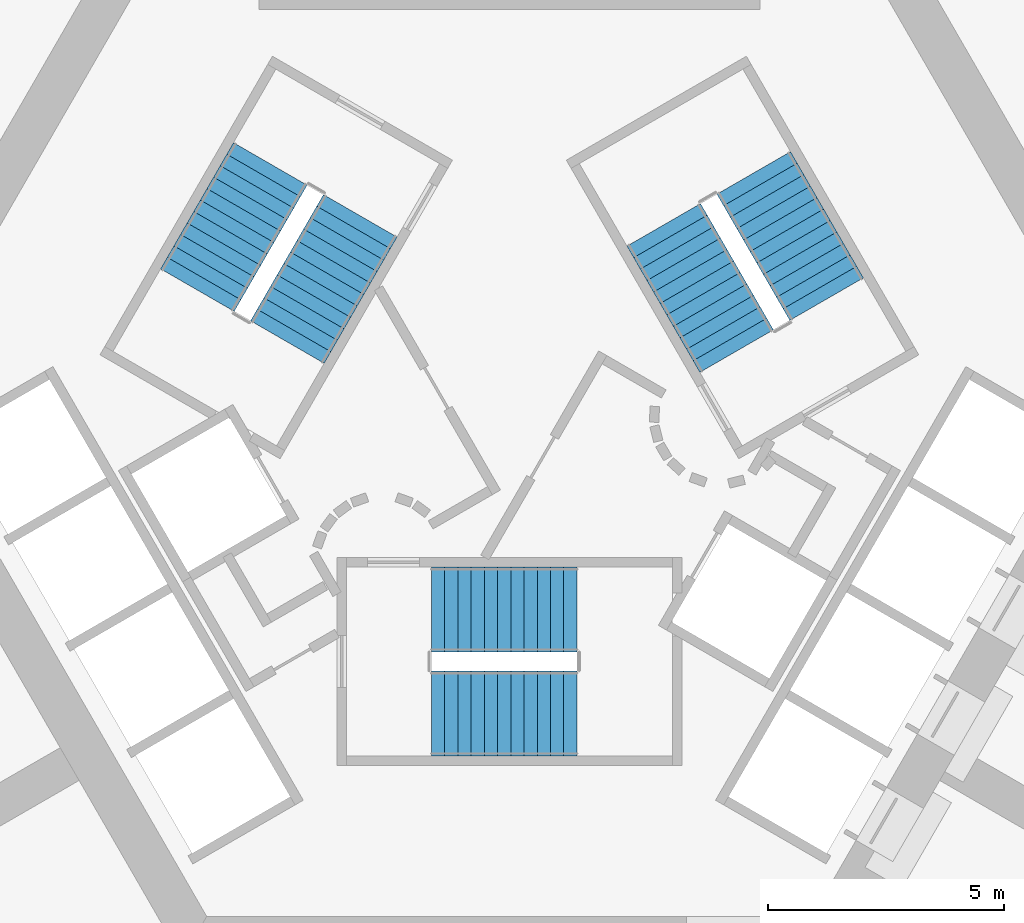
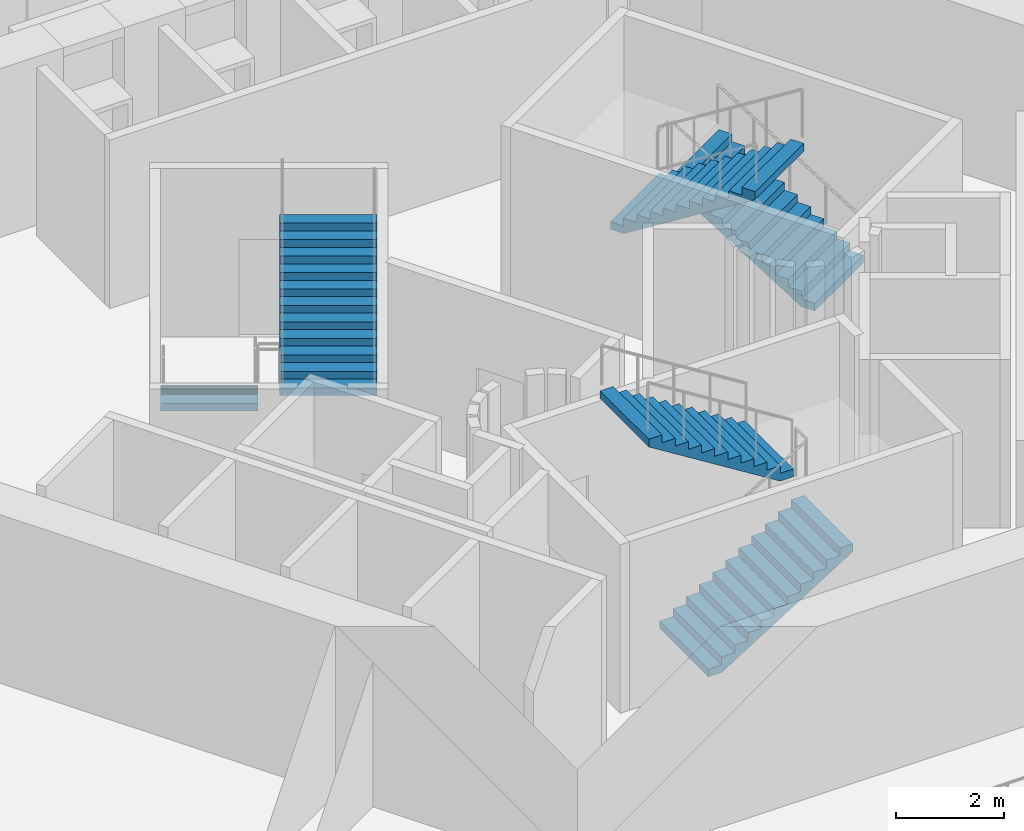
# One storey, part 12 of 16: 6 stair flights, 3 elements without a shape of their own.
"""IFC4 building model written with IfcOpenShell, lengths in metres."""

from ifc_helpers import new_model, si_unit, direction, frame, origin, place, context, subcontext, project, spatial, polyline, outline, extrude, material, type_object, element, aggregate, save


model = new_model("IFC4")

# Units and contexts
model_context = context("Model", 3, precision=1e-05, world=origin(), true_north=direction((0.0, 1.0)))
body_context = subcontext(model_context, "Body", "Model", "MODEL_VIEW")
ifc_project = project(units=[si_unit("LENGTHUNIT", "METRE"), si_unit("AREAUNIT", "SQUARE_METRE"), si_unit("VOLUMEUNIT", "CUBIC_METRE"), si_unit("PLANEANGLEUNIT", "RADIAN"), si_unit("MASSUNIT", "GRAM", prefix="KILO")], contexts=[model_context])

# Site, building, storey
site_placement = place(None, origin())
site = spatial("IfcSite", under=ifc_project, at=site_placement, CompositionType="ELEMENT")
building_placement = place(site_placement, origin())
building = spatial("IfcBuilding", under=site, at=building_placement, Name="Entoto Arch Interchange Tower", CompositionType="ELEMENT")
storey_placement = place(building_placement, frame((0.0, 0.0, 95.0)))
storey = spatial("IfcBuildingStorey", under=building, at=storey_placement, Name="L20", CompositionType="ELEMENT", Elevation=95.0)

# Stair, stair flights
ifc_material = material(Name="Concrete C40/50", Category="concrete")
stair_type = type_object("IfcStairType", Name="EXIT STAIR RC 1800", PredefinedType="HALF_TURN_STAIR", material=ifc_material)
stair_1_placement = place(storey_placement, origin())
stair_1 = element("IfcStair", 1, at=stair_1_placement, inside=storey, type_object=stair_type, Name="L20 Exit stair S", PredefinedType="HALF_TURN_STAIR")
stair_flight_type = type_object("IfcStairFlightType", Name="EXIT STAIR FLIGHT RC 1800", PredefinedType="STRAIGHT", material=ifc_material)
stair_flight_1_placement = place(storey_placement, frame((-1.64990234375, -4.300048828125, 0.0), z_axis=(0.0, 0.0, 1.0), x_axis=(1.0, 0.0, 0.0)))
stair_flight_1 = element("IfcStairFlight", 2, at=stair_flight_1_placement, type_object=stair_flight_type, Name="ST-S flight 1", NumberOfRisers=12, NumberOfTreads=11, PredefinedType="STRAIGHT", RiserHeight=0.175, TreadLength=0.28, context=body_context, shape_type="SweptSolid", body=[
    extrude(outline(polyline([(-0.0029296875, 0.0), (-0.0029296875, 0.175048828125), (0.280029296875, 0.175048828125), (0.280029296875, 0.35009765625), (0.56005859375, 0.35009765625), (0.56005859375, 0.52490234375), (0.840087890625, 0.52490234375), (0.840087890625, 0.699951171875), (1.1201171875, 0.699951171875), (1.1201171875, 0.875), (1.39990234375, 0.875), (1.39990234375, 1.050048828125), (1.679931640625, 1.050048828125), (1.679931640625, 1.22509765625), (1.9599609375, 1.22509765625), (1.9599609375, 1.39990234375), (2.239990234375, 1.39990234375), (2.239990234375, 1.574951171875), (2.52001953125, 1.574951171875), (2.52001953125, 1.75), (2.800048828125, 1.75), (2.800048828125, 1.925048828125), (3.080078125, 1.925048828125), (3.0830078125, 1.925048828125), (3.0830078125, 1.75), (0.28271484375, 0.0), (-0.0029296875, 0.0)])), frame((0.0, 0.89990234375, 0.0), z_axis=(0.0, -1.0, 0.0), x_axis=(1.0, 0.0, 0.0)), (0.0, 0.0, 1.0), 1.800048828125),
])
stair_flight_2_placement = place(storey_placement, frame((1.429931640625, -2.10009765625, 2.10009765625), z_axis=(0.0, 0.0, 1.0), x_axis=(-1.0, 0.0, 0.0)))
stair_flight_2 = element("IfcStairFlight", 3, at=stair_flight_2_placement, type_object=stair_flight_type, Name="ST-S flight 2", NumberOfRisers=12, NumberOfTreads=11, PredefinedType="STRAIGHT", RiserHeight=0.175, TreadLength=0.28, context=body_context, shape_type="SweptSolid", body=[
    extrude(outline(polyline([(-0.0029296875, 0.0), (-0.0029296875, 0.175048828125), (0.280029296875, 0.175048828125), (0.280029296875, 0.35009765625), (0.56005859375, 0.35009765625), (0.56005859375, 0.52490234375), (0.840087890625, 0.52490234375), (0.840087890625, 0.699951171875), (1.1201171875, 0.699951171875), (1.1201171875, 0.875), (1.39990234375, 0.875), (1.39990234375, 1.050048828125), (1.679931640625, 1.050048828125), (1.679931640625, 1.22509765625), (1.9599609375, 1.22509765625), (1.9599609375, 1.39990234375), (2.239990234375, 1.39990234375), (2.239990234375, 1.574951171875), (2.52001953125, 1.574951171875), (2.52001953125, 1.75), (2.800048828125, 1.75), (2.800048828125, 1.925048828125), (3.080078125, 1.925048828125), (3.0830078125, 1.925048828125), (3.0830078125, 1.75), (0.28271484375, 0.0), (-0.0029296875, 0.0)])), frame((0.0, 0.89990234375, 0.0), z_axis=(0.0, -1.0, 0.0), x_axis=(1.0, 0.0, 0.0)), (0.0, 0.0, 1.0), 1.800048828125),
])
aggregate(stair_1, [stair_flight_1, stair_flight_2])

stair_2_placement = place(storey_placement, origin())
stair_2 = element("IfcStair", 4, at=stair_2_placement, inside=storey, type_object=stair_type, Name="L20 Exit stair NE", PredefinedType="HALF_TURN_STAIR")
stair_flight_3_placement = place(storey_placement, frame((6.7138671875, 4.470947265625, 0.0), z_axis=(0.0, 0.0, 1.0), x_axis=(-0.5, 0.866025403784, 0.0)))
stair_flight_3 = element("IfcStairFlight", 5, at=stair_flight_3_placement, type_object=stair_flight_type, Name="ST-NE flight 1", NumberOfRisers=12, NumberOfTreads=11, PredefinedType="STRAIGHT", RiserHeight=0.175, TreadLength=0.28, context=body_context, shape_type="SweptSolid", body=[
    extrude(outline(polyline([(-0.0029296875, 0.0), (-0.0029296875, 0.175048828125), (0.280029296875, 0.175048828125), (0.280029296875, 0.35009765625), (0.56005859375, 0.35009765625), (0.56005859375, 0.52490234375), (0.840087890625, 0.52490234375), (0.840087890625, 0.699951171875), (1.1201171875, 0.699951171875), (1.1201171875, 0.875), (1.39990234375, 0.875), (1.39990234375, 1.050048828125), (1.679931640625, 1.050048828125), (1.679931640625, 1.22509765625), (1.9599609375, 1.22509765625), (1.9599609375, 1.39990234375), (2.239990234375, 1.39990234375), (2.239990234375, 1.574951171875), (2.52001953125, 1.574951171875), (2.52001953125, 1.75), (2.800048828125, 1.75), (2.800048828125, 1.925048828125), (3.080078125, 1.925048828125), (3.0830078125, 1.925048828125), (3.0830078125, 1.75), (0.28271484375, 0.0), (-0.0029296875, 0.0)])), frame((0.0, 0.89990234375, 0.0), z_axis=(0.0, -1.0, 0.0), x_axis=(1.0, 0.0, 0.0)), (0.0, 0.0, 1.0), 1.800048828125),
])
stair_flight_4_placement = place(storey_placement, frame((3.268798828125, 6.038330078125, 2.10009765625), z_axis=(0.0, 0.0, 1.0), x_axis=(0.5, -0.866025403784, 0.0)))
stair_flight_4 = element("IfcStairFlight", 6, at=stair_flight_4_placement, type_object=stair_flight_type, Name="ST-NE flight 2", NumberOfRisers=12, NumberOfTreads=11, PredefinedType="STRAIGHT", RiserHeight=0.175, TreadLength=0.28, context=body_context, shape_type="SweptSolid", body=[
    extrude(outline(polyline([(-0.0029296875, 0.0), (-0.0029296875, 0.175048828125), (0.280029296875, 0.175048828125), (0.280029296875, 0.35009765625), (0.56005859375, 0.35009765625), (0.56005859375, 0.52490234375), (0.840087890625, 0.52490234375), (0.840087890625, 0.699951171875), (1.1201171875, 0.699951171875), (1.1201171875, 0.875), (1.39990234375, 0.875), (1.39990234375, 1.050048828125), (1.679931640625, 1.050048828125), (1.679931640625, 1.22509765625), (1.9599609375, 1.22509765625), (1.9599609375, 1.39990234375), (2.239990234375, 1.39990234375), (2.239990234375, 1.574951171875), (2.52001953125, 1.574951171875), (2.52001953125, 1.75), (2.800048828125, 1.75), (2.800048828125, 1.925048828125), (3.080078125, 1.925048828125), (3.0830078125, 1.925048828125), (3.0830078125, 1.75), (0.28271484375, 0.0), (-0.0029296875, 0.0)])), frame((0.0, 0.89990234375, 0.0), z_axis=(0.0, -1.0, 0.0), x_axis=(1.0, 0.0, 0.0)), (0.0, 0.0, 1.0), 1.800048828125),
])
aggregate(stair_2, [stair_flight_3, stair_flight_4])

stair_3_placement = place(storey_placement, origin())
stair_3 = element("IfcStair", 7, at=stair_3_placement, inside=storey, type_object=stair_type, Name="L20 Exit stair NW", PredefinedType="HALF_TURN_STAIR")
stair_flight_5_placement = place(storey_placement, frame((-5.06396484375, 7.328857421875, 0.0), z_axis=(0.0, 0.0, 1.0), x_axis=(-0.5, -0.866025403784, 0.0)))
stair_flight_5 = element("IfcStairFlight", 8, at=stair_flight_5_placement, type_object=stair_flight_type, Name="ST-NW flight 1", NumberOfRisers=12, NumberOfTreads=11, PredefinedType="STRAIGHT", RiserHeight=0.175, TreadLength=0.28, context=body_context, shape_type="SweptSolid", body=[
    extrude(outline(polyline([(-0.0029296875, 0.0), (-0.0029296875, 0.175048828125), (0.280029296875, 0.175048828125), (0.280029296875, 0.35009765625), (0.56005859375, 0.35009765625), (0.56005859375, 0.52490234375), (0.840087890625, 0.52490234375), (0.840087890625, 0.699951171875), (1.1201171875, 0.699951171875), (1.1201171875, 0.875), (1.39990234375, 0.875), (1.39990234375, 1.050048828125), (1.679931640625, 1.050048828125), (1.679931640625, 1.22509765625), (1.9599609375, 1.22509765625), (1.9599609375, 1.39990234375), (2.239990234375, 1.39990234375), (2.239990234375, 1.574951171875), (2.52001953125, 1.574951171875), (2.52001953125, 1.75), (2.800048828125, 1.75), (2.800048828125, 1.925048828125), (3.080078125, 1.925048828125), (3.0830078125, 1.925048828125), (3.0830078125, 1.75), (0.28271484375, 0.0), (-0.0029296875, 0.0)])), frame((0.0, 0.89990234375, 0.0), z_axis=(0.0, -1.0, 0.0), x_axis=(1.0, 0.0, 0.0)), (0.0, 0.0, 1.0), 1.800048828125),
])
stair_flight_6_placement = place(storey_placement, frame((-4.69873046875, 3.5615234375, 2.10009765625), z_axis=(0.0, 0.0, 1.0), x_axis=(0.5, 0.866025403784, 0.0)))
stair_flight_6 = element("IfcStairFlight", 9, at=stair_flight_6_placement, type_object=stair_flight_type, Name="ST-NW flight 2", NumberOfRisers=12, NumberOfTreads=11, PredefinedType="STRAIGHT", RiserHeight=0.175, TreadLength=0.28, context=body_context, shape_type="SweptSolid", body=[
    extrude(outline(polyline([(-0.0029296875, 0.0), (-0.0029296875, 0.175048828125), (0.280029296875, 0.175048828125), (0.280029296875, 0.35009765625), (0.56005859375, 0.35009765625), (0.56005859375, 0.52490234375), (0.840087890625, 0.52490234375), (0.840087890625, 0.699951171875), (1.1201171875, 0.699951171875), (1.1201171875, 0.875), (1.39990234375, 0.875), (1.39990234375, 1.050048828125), (1.679931640625, 1.050048828125), (1.679931640625, 1.22509765625), (1.9599609375, 1.22509765625), (1.9599609375, 1.39990234375), (2.239990234375, 1.39990234375), (2.239990234375, 1.574951171875), (2.52001953125, 1.574951171875), (2.52001953125, 1.75), (2.800048828125, 1.75), (2.800048828125, 1.925048828125), (3.080078125, 1.925048828125), (3.0830078125, 1.925048828125), (3.0830078125, 1.75), (0.28271484375, 0.0), (-0.0029296875, 0.0)])), frame((0.0, 0.89990234375, 0.0), z_axis=(0.0, -1.0, 0.0), x_axis=(1.0, 0.0, 0.0)), (0.0, 0.0, 1.0), 1.800048828125),
])
aggregate(stair_3, [stair_flight_5, stair_flight_6])

save(model, "model.ifc")
